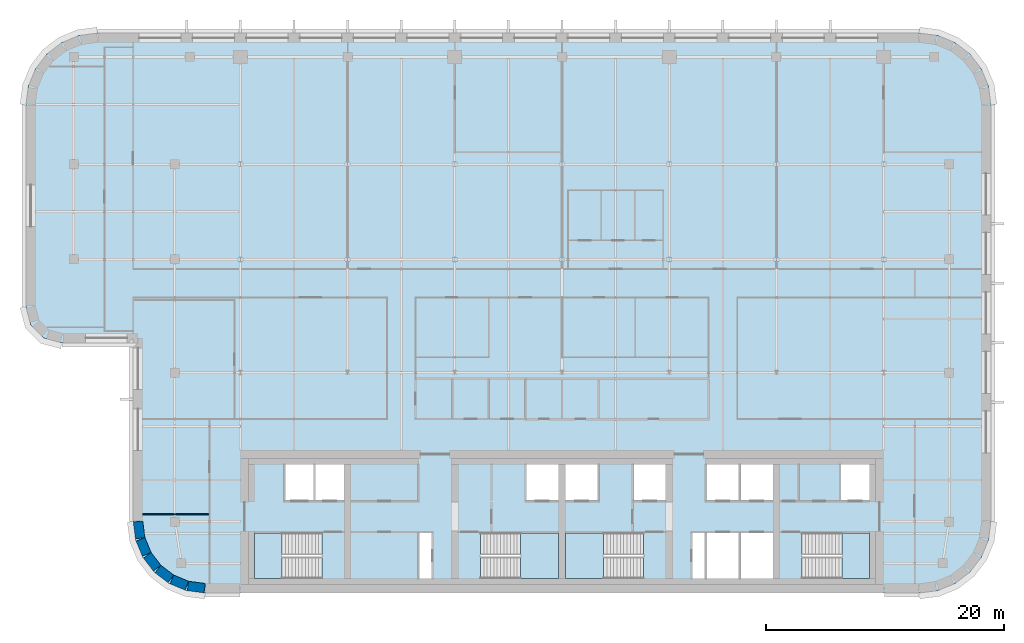
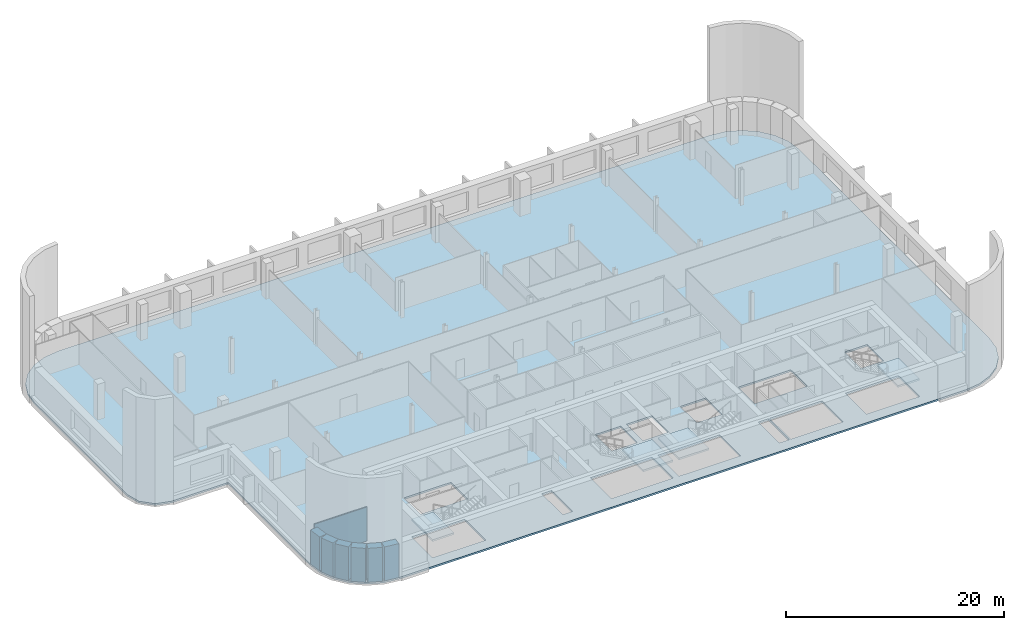
# One storey, part 6 of 16: 7 walls, 5 slabs, 4 elements without a shape of their own.
"""IFC4 building model written with IfcOpenShell, lengths in metres."""

import ifcopenshell
import ifcopenshell.guid

model = None  # the IFC model being written
_history = None  # IfcOwnerHistory: only IFC2X3 demands one
_inside = {}  # id of a spatial element -> (the spatial element, [elements in it])
_under = {}  # id of a project, library or spatial element -> (it, [spatial elements below it])
_declared = {}  # id of a project -> (the project, [libraries it declares])
_typed = {}  # id of a type object -> (the type object, [elements of that type])
_made_of = {}  # id of a material, layer set ... -> (it, [elements and type objects made of it])


def new_model(schema):
    """Start an empty IFC model of exactly this schema.

    Asked for "IFC4X3", IfcOpenShell would pick the latest addendum, in which some entities
    have other attributes; the version numbers below select the first issue.
    IFC2X3 requires an IfcOwnerHistory on every rooted entity: one is made here for all.
    """
    global model, _history
    if schema == "IFC4X3":
        model = ifcopenshell.file(schema_version=(4, 3, 0, 0))
    else:
        model = ifcopenshell.file(schema=schema)
    _inside.clear()
    _under.clear()
    _declared.clear()
    _typed.clear()
    _made_of.clear()
    _history = None
    if model.schema == "IFC2X3":
        org = make("IfcOrganization", Name="unknown")
        user = make(
            "IfcPersonAndOrganization",
            ThePerson=make("IfcPerson", FamilyName="unknown"),
            TheOrganization=org,
        )
        app = make(
            "IfcApplication",
            ApplicationDeveloper=org,
            Version="unknown",
            ApplicationFullName="unknown",
            ApplicationIdentifier="unknown",
        )
        _history = make(
            "IfcOwnerHistory",
            OwningUser=user,
            OwningApplication=app,
            ChangeAction="ADDED",
            CreationDate=0,
        )
    return model


def make(cls, **values):
    """One entity of the class cls with the attributes given. An attribute that is None is left unset."""
    return model.create_entity(
        cls, **{name: value for name, value in values.items() if value is not None}
    )


def rooted(cls, **values):
    """An entity with a GlobalId (a new one), such as an element, a storey or a relation."""
    return make(cls, GlobalId=ifcopenshell.guid.new(), OwnerHistory=_history, **values)


def si_unit(unit_type, name, prefix=None):
    """IfcSIUnit, for example si_unit("LENGTHUNIT", "METRE", prefix="MILLI")."""
    return make("IfcSIUnit", UnitType=unit_type, Prefix=prefix, Name=name)


def assignment(units):
    """IfcUnitAssignment: the units of a project."""
    return None if units is None else make("IfcUnitAssignment", Units=units)


def point(xyz):
    """IfcCartesianPoint."""
    return None if xyz is None else make("IfcCartesianPoint", Coordinates=xyz)


def direction(xyz):
    """IfcDirection."""
    return None if xyz is None else make("IfcDirection", DirectionRatios=xyz)


def frame(location, z_axis=None, x_axis=None):
    """IfcAxis2Placement3D, a coordinate frame: its origin and axes. An axis left out is left unset."""
    return make(
        "IfcAxis2Placement3D",
        Location=point(location),
        Axis=direction(z_axis),
        RefDirection=direction(x_axis),
    )


def frame_2d(location, x_axis=None):
    """IfcAxis2Placement2D, a coordinate frame in the plane: its origin and x axis."""
    return make(
        "IfcAxis2Placement2D", Location=point(location), RefDirection=direction(x_axis)
    )


def origin():
    """The frame at (0, 0, 0) with its axes left unset."""
    return frame((0.0, 0.0, 0.0))


def place(relative_to, where):
    """IfcLocalPlacement: puts the frame where relative to a parent placement (None: the world)."""
    return make(
        "IfcLocalPlacement", PlacementRelTo=relative_to, RelativePlacement=where
    )


def context(
    kind, dimensions, precision=None, world=None, true_north=None, identifier=None
):
    """IfcGeometricRepresentationContext, for example the 3D "Model" context."""
    return make(
        "IfcGeometricRepresentationContext",
        ContextIdentifier=identifier,
        ContextType=kind,
        CoordinateSpaceDimension=dimensions,
        Precision=precision,
        WorldCoordinateSystem=world,
        TrueNorth=true_north,
    )


def subcontext(parent, identifier, kind, view, scale=None):
    """IfcGeometricRepresentationSubContext, for example "Body" below "Model"."""
    return make(
        "IfcGeometricRepresentationSubContext",
        ContextIdentifier=identifier,
        ContextType=kind,
        ParentContext=parent,
        TargetScale=scale,
        TargetView=view,
    )


def project(units=None, contexts=None):
    """IfcProject with its units and contexts."""
    return rooted(
        "IfcProject",
        Name="project",
        RepresentationContexts=contexts,
        UnitsInContext=assignment(units),
    )


def spatial(cls, under=None, at=None, **own):
    """A site, building, storey or space (cls), placed at a placement, below another one or the project."""
    s = rooted(cls, ObjectPlacement=at, **own)
    if under is not None:
        _under.setdefault(under.id(), (under, []))[1].append(s)
    return s


def polyline(points):
    """IfcPolyline through the points."""
    return make("IfcPolyline", Points=[point(p) for p in points])


def profile(cls, at=None, kind="AREA", **sizes):
    """A parametric profile (cls). Its sizes go by their IFC names, for example OverallWidth=200.0."""
    return make(cls, ProfileType=kind, Position=at, **sizes)


def rectangle(**sizes):
    """IfcRectangleProfileDef."""
    return profile("IfcRectangleProfileDef", **sizes)


def outline(outer, holes=None, kind="AREA"):
    """IfcArbitraryClosedProfileDef: a profile drawn as a closed curve; with holes, ...WithVoids."""
    if holes is None:
        return make("IfcArbitraryClosedProfileDef", ProfileType=kind, OuterCurve=outer)
    return make(
        "IfcArbitraryProfileDefWithVoids",
        ProfileType=kind,
        OuterCurve=outer,
        InnerCurves=holes,
    )


def extrude(swept, where, along, depth):
    """IfcExtrudedAreaSolid: the profile swept, set in the frame where, extruded along a direction by depth."""
    return make(
        "IfcExtrudedAreaSolid",
        SweptArea=swept,
        Position=where,
        ExtrudedDirection=direction(along),
        Depth=depth,
    )


def shape(context_of_items, identifier, shape_type, items):
    """IfcShapeRepresentation: the items that make up one representation, for example the "Body"."""
    return make(
        "IfcShapeRepresentation",
        ContextOfItems=context_of_items,
        RepresentationIdentifier=identifier,
        RepresentationType=shape_type,
        Items=items,
    )


def material(Name=None, Category=None):
    """IfcMaterial."""
    return make("IfcMaterial", Name=Name, Category=Category)


def layer(
    of_material, thickness, ventilated=None, Name=None, Category=None, Priority=None
):
    """IfcMaterialLayer: one layer of a wall or slab, of a material (None: an air gap)."""
    return make(
        "IfcMaterialLayer",
        Material=of_material,
        LayerThickness=thickness,
        IsVentilated=ventilated,
        Name=Name,
        Category=Category,
        Priority=Priority,
    )


def layer_set(layers, Name=None):
    """IfcMaterialLayerSet."""
    return make("IfcMaterialLayerSet", MaterialLayers=layers, LayerSetName=Name)


def made_of(thing, what):
    """Note that an element or type object is made of a material, layer set ...; save() writes the relation."""
    if what is not None:
        _made_of.setdefault(what.id(), (what, []))[1].append(thing)
    return thing


def type_object(cls, material=None, **own):
    """A type object (cls), such as IfcWallType, which elements share."""
    return made_of(rooted(cls, **own), material)


def element(
    cls,
    number,
    at=None,
    inside=None,
    cuts=None,
    type_object=None,
    material=None,
    context=None,
    identifier="Body",
    shape_type=None,
    held_by="IfcProductDefinitionShape",
    body=None,
    shapes=None,
    **own,
):
    """One element of the class cls, such as IfcWall. Its Tag is "e" and its number.

    at: its placement. inside: the storey or other place that contains it. cuts: it is an
    opening in that element (IfcRelVoidsElement). A single representation is given by context,
    identifier, shape_type and body (its items); several are given by shapes. held_by: the class
    of the entity that holds the representations. save() writes the other relations.
    """
    e = rooted(cls, Tag="e%d" % number, ObjectPlacement=at, **own)
    if body is not None:
        shapes = [shape(context, identifier, shape_type, body)]
    if shapes is not None:
        e.Representation = make(held_by, Representations=shapes)
    if inside is not None:
        _inside.setdefault(inside.id(), (inside, []))[1].append(e)
    if cuts is not None:
        rooted(
            "IfcRelVoidsElement", RelatingBuildingElement=cuts, RelatedOpeningElement=e
        )
    if type_object is not None:
        _typed.setdefault(type_object.id(), (type_object, []))[1].append(e)
    return made_of(e, material)


def aggregate(whole, parts):
    """IfcRelAggregates: a whole, such as a stair, and the parts it consists of."""
    return rooted("IfcRelAggregates", RelatingObject=whole, RelatedObjects=parts)


def save(model, path):
    """Write the relations noted so far, then the file.

    IfcRelAggregates (storeys below a building ...), IfcRelContainedInSpatialStructure (elements
    in a storey), IfcRelDefinesByType, IfcRelAssociatesMaterial and IfcRelDeclares: one each for
    every whole, place, type object, material and project.
    """
    for whole, parts in _under.values():
        aggregate(whole, parts)
    for where, things in _inside.values():
        rooted(
            "IfcRelContainedInSpatialStructure",
            RelatedElements=things,
            RelatingStructure=where,
        )
    for kind, things in _typed.values():
        rooted("IfcRelDefinesByType", RelatedObjects=things, RelatingType=kind)
    for what, things in _made_of.values():
        rooted("IfcRelAssociatesMaterial", RelatedObjects=things, RelatingMaterial=what)
    for by, libraries in _declared.values():
        rooted("IfcRelDeclares", RelatingContext=by, RelatedDefinitions=libraries)
    model.write(path)


model = new_model("IFC4")

# Units and contexts
model_context = context("Model", 3, precision=1e-05, world=origin(), true_north=direction((0.0, 1.0)))
body_context = subcontext(model_context, "Body", "Model", "MODEL_VIEW")
ifc_project = project(units=[si_unit("LENGTHUNIT", "METRE"), si_unit("AREAUNIT", "SQUARE_METRE"), si_unit("VOLUMEUNIT", "CUBIC_METRE"), si_unit("PLANEANGLEUNIT", "RADIAN"), si_unit("MASSUNIT", "GRAM", prefix="KILO")], contexts=[model_context])

# Site, building, storey
site_placement = place(None, origin())
site = spatial("IfcSite", under=ifc_project, at=site_placement, CompositionType="ELEMENT")
building_placement = place(site_placement, origin())
building = spatial("IfcBuilding", under=site, at=building_placement, Name="Zellij Exchange Tower", CompositionType="ELEMENT")
storey_placement = place(building_placement, frame((0.0, 0.0, 244.5)))
storey = spatial("IfcBuildingStorey", under=building, at=storey_placement, Name="L57", CompositionType="ELEMENT", Elevation=244.5)

# Stair, slab
ifc_material_1 = material(Name="Concrete C40/50", Category="concrete")
stair_type = type_object("IfcStairType", Name="CORE-ST exit stair 1850 wide", PredefinedType="HALF_TURN_STAIR", material=ifc_material_1)
stair_1_placement = place(storey_placement, origin())
stair_1 = element("IfcStair", 1, at=stair_1_placement, inside=storey, type_object=stair_type, Name="L57 exit stair ST1", PredefinedType="HALF_TURN_STAIR")
ifc_layer_1 = layer(ifc_material_1, 0.199951171875)
ifc_layer_set_1 = layer_set([ifc_layer_1], Name="Concrete C40/50")
slab_type_1 = type_object("IfcSlabType", Name="CORE-SL stair landing 200", PredefinedType="LANDING", material=ifc_layer_set_1)
slab_1_placement = place(storey_placement, frame((0.0, 0.0, 1.800048828125)))
slab_1 = element("IfcSlab", 2, at=slab_1_placement, type_object=slab_type_1, Name="ST1 landing 1", PredefinedType="LANDING", context=body_context, shape_type="SweptSolid", body=[
    extrude(outline(polyline([(-23.510009765625, -8.949951171875), (-25.800048828125, -8.949951171875), (-25.800048828125, -12.800048828125), (-23.510009765625, -12.800048828125), (-23.510009765625, -8.949951171875)])), origin(), (0.0, 0.0, 1.0), 0.199951171875),
])
aggregate(stair_1, [slab_1])

stair_2_placement = place(storey_placement, origin())
stair_2 = element("IfcStair", 3, at=stair_2_placement, inside=storey, type_object=stair_type, Name="L57 exit stair ST2", PredefinedType="HALF_TURN_STAIR")
slab_2_placement = place(storey_placement, frame((0.0, 0.0, 1.800048828125)))
slab_2 = element("IfcSlab", 4, at=slab_2_placement, type_object=slab_type_1, Name="ST2 landing 1", PredefinedType="LANDING", context=body_context, shape_type="SweptSolid", body=[
    extrude(outline(polyline([(-3.489990234375, -12.800048828125), (-0.300048828125, -12.800048828125), (-0.300048828125, -8.949951171875), (-3.489990234375, -8.949951171875), (-3.489990234375, -12.800048828125)])), origin(), (0.0, 0.0, 1.0), 0.199951171875),
])
aggregate(stair_2, [slab_2])

stair_3_placement = place(storey_placement, origin())
stair_3 = element("IfcStair", 5, at=stair_3_placement, inside=storey, type_object=stair_type, Name="L57 exit stair ST3", PredefinedType="HALF_TURN_STAIR")
slab_3_placement = place(storey_placement, frame((0.0, 0.0, 1.800048828125)))
slab_3 = element("IfcSlab", 6, at=slab_3_placement, type_object=slab_type_1, Name="ST3 landing 1", PredefinedType="LANDING", context=body_context, shape_type="SweptSolid", body=[
    extrude(outline(polyline([(3.489990234375, -8.949951171875), (0.300048828125, -8.949951171875), (0.300048828125, -12.800048828125), (3.489990234375, -12.800048828125), (3.489990234375, -8.949951171875)])), origin(), (0.0, 0.0, 1.0), 0.199951171875),
])
aggregate(stair_3, [slab_3])

stair_4_placement = place(storey_placement, origin())
stair_4 = element("IfcStair", 7, at=stair_4_placement, inside=storey, type_object=stair_type, Name="L57 exit stair ST4", PredefinedType="HALF_TURN_STAIR")
slab_4_placement = place(storey_placement, frame((0.0, 0.0, 1.800048828125)))
slab_4 = element("IfcSlab", 8, at=slab_4_placement, type_object=slab_type_1, Name="ST4 landing 1", PredefinedType="LANDING", context=body_context, shape_type="SweptSolid", body=[
    extrude(outline(polyline([(23.510009765625, -12.800048828125), (25.800048828125, -12.800048828125), (25.800048828125, -8.949951171875), (23.510009765625, -8.949951171875), (23.510009765625, -12.800048828125)])), origin(), (0.0, 0.0, 1.0), 0.199951171875),
])
aggregate(stair_4, [slab_4])

# Slab
ifc_layer_2 = layer(ifc_material_1, 0.199951171875)
ifc_layer_set_2 = layer_set([ifc_layer_2], Name="Concrete C40/50")
slab_type_2 = type_object("IfcSlabType", Name="STR-FLOOR SLAB 200 C40/50", PredefinedType="FLOOR", material=ifc_layer_set_2)
slab_5_placement = place(storey_placement, frame((0.0, 0.0, -0.2001953125)))
element("IfcSlab", 9, at=slab_5_placement, inside=storey, type_object=slab_type_2, Name="Floor L57", PredefinedType="FLOOR", context=body_context, shape_type="SweptSolid", body=[
    extrude(outline(polyline([(31.552978515625, 32.795654296875), (33.0, 32.1962890625), (34.24267578125, 31.24267578125), (35.1962890625, 30.0), (35.795654296875, 28.552978515625), (36.0, 27.0), (36.0, -8.0), (35.795654296875, -9.552978515625), (35.1962890625, -11.0), (34.24267578125, -12.24267578125), (33.0, -13.1962890625), (31.552978515625, -13.795654296875), (30.0, -14.0), (-30.0, -14.0), (-31.552978515625, -13.795654296875), (-33.0, -13.1962890625), (-34.24267578125, -12.24267578125), (-35.1962890625, -11.0), (-35.795654296875, -9.552978515625), (-36.0, -8.0), (-36.0, 7.0), (-42.0, 7.0), (-43.5, 7.40185546875), (-44.59814453125, 8.5), (-45.0, 10.0), (-45.0, 27.0), (-44.795654296875, 28.552978515625), (-44.1962890625, 30.0), (-43.24267578125, 31.24267578125), (-42.0, 32.1962890625), (-40.552978515625, 32.795654296875), (-39.0, 33.0), (30.0, 33.0), (31.552978515625, 32.795654296875)]), holes=[polyline([(-25.800048828125, -8.949951171875), (-25.800048828125, -12.800048828125), (-20.153076171875, -12.800048828125), (-20.153076171875, -8.949951171875), (-25.800048828125, -8.949951171875)]), polyline([(-10.949951171875, -8.949951171875), (-12.0, -8.949951171875), (-12.0, -12.800048828125), (-10.949951171875, -12.800048828125), (-10.949951171875, -8.949951171875)]), polyline([(-0.300048828125, -8.949951171875), (-6.846923828125, -8.949951171875), (-6.846923828125, -12.800048828125), (-0.300048828125, -12.800048828125), (-0.300048828125, -8.949951171875)]), polyline([(0.300048828125, -8.949951171875), (0.300048828125, -12.800048828125), (6.846923828125, -12.800048828125), (6.846923828125, -8.949951171875), (0.300048828125, -8.949951171875)]), polyline([(-18.300048828125, -3.199951171875), (-23.25, -3.199951171875), (-23.25, -6.22509765625), (-18.300048828125, -6.22509765625), (-18.300048828125, -3.199951171875)]), polyline([(-0.300048828125, -3.199951171875), (-3.0, -3.199951171875), (-3.0, -6.22509765625), (-0.300048828125, -6.22509765625), (-0.300048828125, -3.199951171875)]), polyline([(0.300048828125, -3.199951171875), (0.300048828125, -6.22509765625), (3.0, -6.22509765625), (3.0, -3.199951171875), (0.300048828125, -3.199951171875)]), polyline([(12.0, -8.949951171875), (10.949951171875, -8.949951171875), (10.949951171875, -12.800048828125), (12.0, -12.800048828125), (12.0, -8.949951171875)]), polyline([(17.699951171875, -8.949951171875), (12.14990234375, -8.949951171875), (12.14990234375, -12.800048828125), (17.699951171875, -12.800048828125), (17.699951171875, -8.949951171875)]), polyline([(25.800048828125, -8.949951171875), (20.153076171875, -8.949951171875), (20.153076171875, -12.800048828125), (25.800048828125, -12.800048828125), (25.800048828125, -8.949951171875)]), polyline([(8.699951171875, -3.199951171875), (6.0, -3.199951171875), (6.0, -6.22509765625), (8.699951171875, -6.22509765625), (8.699951171875, -3.199951171875)]), polyline([(17.699951171875, -3.199951171875), (12.14990234375, -3.199951171875), (12.14990234375, -6.22509765625), (17.699951171875, -6.22509765625), (17.699951171875, -3.199951171875)]), polyline([(25.800048828125, -3.199951171875), (23.39990234375, -3.199951171875), (23.39990234375, -6.22509765625), (25.800048828125, -6.22509765625), (25.800048828125, -3.199951171875)])]), origin(), (0.0, 0.0, 1.0), 0.2001953125),
])

# Walls
ifc_material_2 = material(Name="Precast concrete C40/50", Category="concrete")
ifc_layer_3 = layer(ifc_material_2, 0.800048828125)
ifc_layer_set_3 = layer_set([ifc_layer_3], Name="Precast concrete C40/50")
wall_type_1 = type_object("IfcWallType", Name="ENV-EW1 Precast stone-piered wall 800", PredefinedType="SOLIDWALL", material=ifc_layer_set_3)
wall_1_placement = place(storey_placement, frame((-35.5966796875, -7.999755859375, 0.0), z_axis=(0.0, 0.0, 1.0), x_axis=(0.130517283865, -0.99144603414, 0.0)))
element("IfcWall", 10, at=wall_1_placement, inside=storey, type_object=wall_type_1, Name="fac.L57.27", PredefinedType="SOLIDWALL", context=body_context, shape_type="SweptSolid", body=[
    extrude(rectangle(XDim=1.408447265625, YDim=0.800048828125, at=frame_2d((0.7041015625, 0.0))), origin(), (0.0, 0.0, 1.0), 3.800048828125),
])
wall_2_placement = place(storey_placement, frame((-35.3857421875, -9.497314453125, 0.0), z_axis=(0.0, 0.0, 1.0), x_axis=(0.38276009378, -0.923847774587, 0.0)))
element("IfcWall", 11, at=wall_2_placement, inside=storey, type_object=wall_type_1, Name="fac.L57.28", PredefinedType="SOLIDWALL", context=body_context, shape_type="SweptSolid", body=[
    extrude(rectangle(XDim=1.35546875, YDim=0.800048828125, at=frame_2d((0.677734375, 0.0))), origin(), (0.0, 0.0, 1.0), 3.800048828125),
])
for number, where, z_axis, x_axis, name in (
    (12, (-34.814697265625, -10.840087890625, 0.0), (0.0, 0.0, 1.0), (0.608866226366, -0.793272915452, 0.0), "fac.L57.29"),
    (13, (-33.91552734375, -11.9892578125, 0.0), (0.0, 0.0, 1.0), (0.793272915452, -0.608866226366, 0.0), "fac.L57.30"),
):
    element("IfcWall", number, at=place(storey_placement, frame(where, z_axis=z_axis, x_axis=x_axis)), inside=storey, type_object=wall_type_1, Name=name, PredefinedType="SOLIDWALL", context=body_context, shape_type="SweptSolid", body=[
        extrude(rectangle(XDim=1.355712890625, YDim=0.800048828125, at=frame_2d((0.677734375, 0.0))), origin(), (0.0, 0.0, 1.0), 3.800048828125),
    ])
wall_3_placement = place(storey_placement, frame((-32.74951171875, -12.866943359375, 0.0), z_axis=(0.0, 0.0, 1.0), x_axis=(0.923847774587, -0.38276009378, 0.0)))
element("IfcWall", 14, at=wall_3_placement, inside=storey, type_object=wall_type_1, Name="fac.L57.31", PredefinedType="SOLIDWALL", context=body_context, shape_type="SweptSolid", body=[
    extrude(rectangle(XDim=1.35546875, YDim=0.800048828125, at=frame_2d((0.677734375, 0.0))), origin(), (0.0, 0.0, 1.0), 3.800048828125),
])
wall_4_placement = place(storey_placement, frame((-31.396240234375, -13.412841796875, 0.0), z_axis=(0.0, 0.0, 1.0), x_axis=(0.99144603414, -0.130517283865, 0.0)))
element("IfcWall", 15, at=wall_4_placement, inside=storey, type_object=wall_type_1, Name="fac.L57.32", PredefinedType="SOLIDWALL", context=body_context, shape_type="SweptSolid", body=[
    extrude(rectangle(XDim=1.408447265625, YDim=0.800048828125, at=frame_2d((0.7041015625, 0.0))), origin(), (0.0, 0.0, 1.0), 3.800048828125),
])
ifc_material_3 = material(Name="Gypsum board partition on steel studs", Category="steel")
ifc_layer_4 = layer(ifc_material_3, 0.10009765625)
ifc_layer_set_4 = layer_set([ifc_layer_4], Name="Gypsum board partition on steel studs")
wall_type_2 = type_object("IfcWallType", Name="FIT-PARTITION-100", PredefinedType="PARTITIONING", material=ifc_layer_set_4)
wall_5_placement = place(storey_placement, frame((-35.199951171875, -7.39990234375, 0.0), z_axis=(0.0, 0.0, 1.0), x_axis=(1.0, 0.0, 0.0)))
element("IfcWall", 16, at=wall_5_placement, inside=storey, type_object=wall_type_2, Name="FIT-PARTITION-100 003", PredefinedType="PARTITIONING", context=body_context, shape_type="SweptSolid", body=[
    extrude(rectangle(XDim=5.550048828125, YDim=0.10009765625, at=frame_2d((2.77490234375, 0.0))), origin(), (0.0, 0.0, 1.0), 3.800048828125),
])

save(model, "model.ifc")
